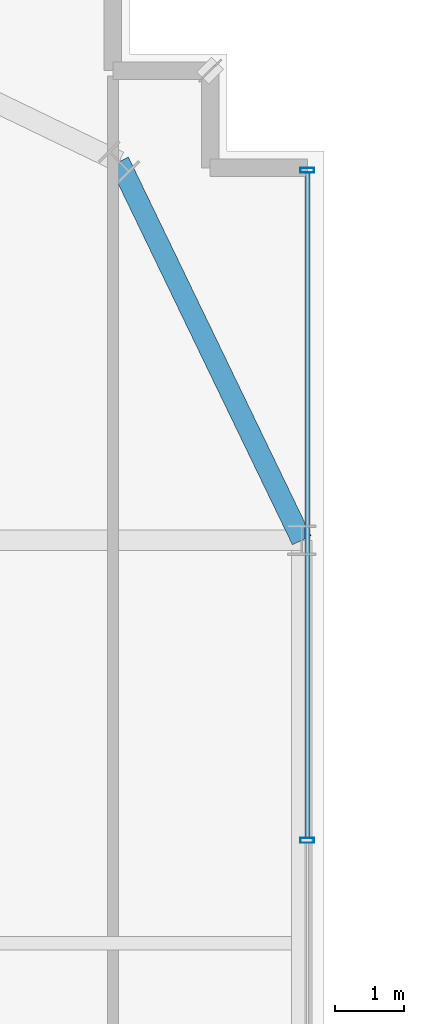
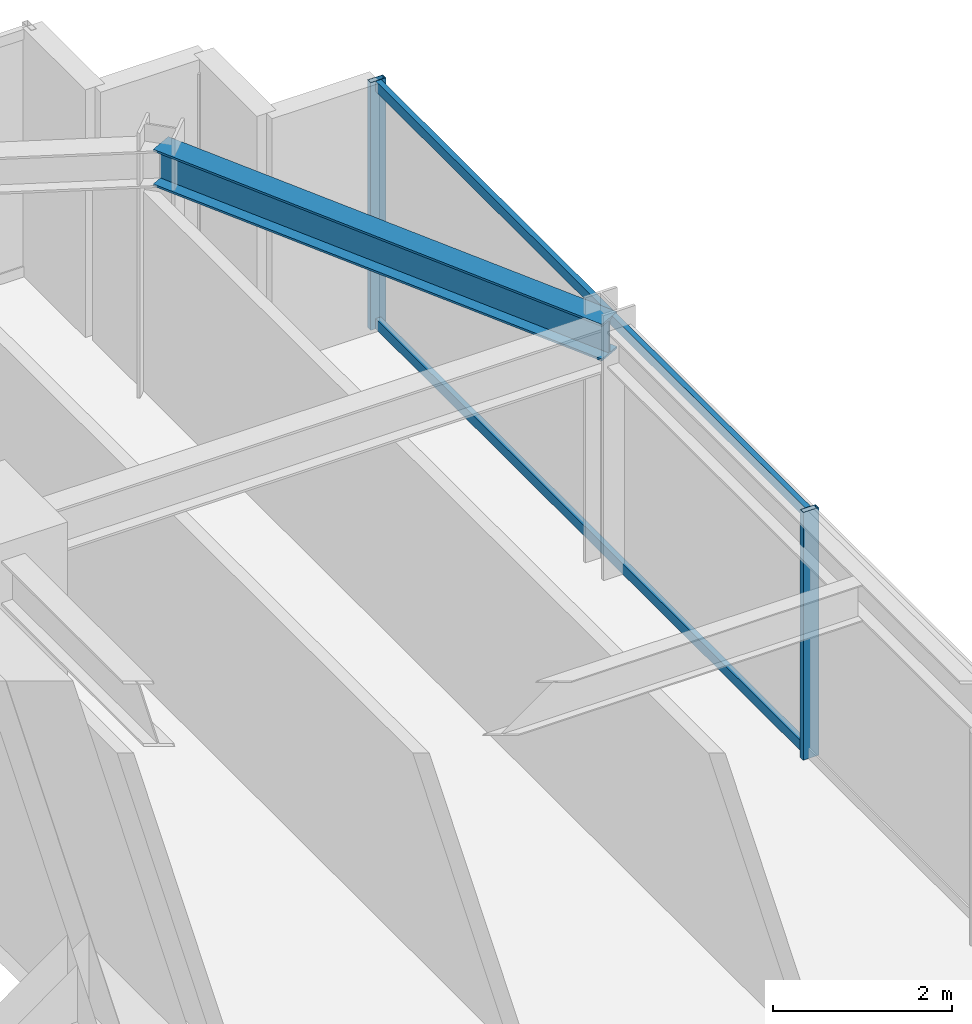
# One storey, part 31 of 47: 4 members, 1 beam, 1 element without a shape of its own.
"""IFC4 building model written with IfcOpenShell, lengths in metres."""

from ifc_helpers import new_model, si_unit, direction, frame, origin, origin_2d, place, context, subcontext, project, spatial, hollow_rectangle, i_section, extrude, source, transform, mapped, material, material_profile, profile_set, type_object, element, aggregate, save


model = new_model("IFC4")

# Units and contexts
model_context = context("Model", 3, precision=1e-05, world=origin(), true_north=direction((0.0, 1.0)))
body_context = subcontext(model_context, "Body", "Model", "MODEL_VIEW")
ifc_project = project(units=[si_unit("LENGTHUNIT", "METRE"), si_unit("AREAUNIT", "SQUARE_METRE"), si_unit("VOLUMEUNIT", "CUBIC_METRE"), si_unit("PLANEANGLEUNIT", "RADIAN"), si_unit("MASSUNIT", "GRAM", prefix="KILO")], contexts=[model_context])

# Site, building, storey
site_placement = place(None, origin())
site = spatial("IfcSite", under=ifc_project, at=site_placement, CompositionType="ELEMENT")
building_placement = place(site_placement, origin())
building = spatial("IfcBuilding", under=site, at=building_placement, Name="Nahalor Promenade Grand Hotel", CompositionType="ELEMENT")
storey_placement = place(building_placement, frame((0.0, 0.0, 68.89990234375)))
storey = spatial("IfcBuildingStorey", under=building, at=storey_placement, Name="L16", CompositionType="ELEMENT", Elevation=68.89990234375)

# Beam
ifc_material_1 = material(Name="Steel S355JR", Category="steel")
ifc_material_profile_1 = material_profile(ifc_material_1, i_section(OverallWidth=0.3, OverallDepth=0.5, WebThickness=0.0145, FlangeThickness=0.028, at=origin_2d()), Name="HEB 500")
ifc_profile_set_1 = profile_set([ifc_material_profile_1], Name="Steel S355JR")
beam_type = type_object("IfcBeamType", Name="Beam-Spandrel-HEB500", PredefinedType="SPANDREL", material=ifc_profile_set_1)
shared_shape_1 = source(origin(), body_context, "Body", "SweptSolid", [
    extrude(i_section(OverallWidth=0.3, OverallDepth=0.5, WebThickness=0.0145, FlangeThickness=0.028, at=origin_2d()), origin(), (0.0, 0.0, 1.0), 6.051513671875),
])
beam_placement = place(storey_placement, frame((22.449951171875, 22.449951171875, 3.1201171875), z_axis=(0.434630596492, -0.900608818852, 0.0), x_axis=(0.900608818852, 0.434630596492, 0.0)))
element("IfcBeam", 1, at=beam_placement, inside=storey, type_object=beam_type, Name="BM-L16-SPC-NE-2", PredefinedType="SPANDREL", context=body_context, shape_type="MappedRepresentation", body=[
    mapped(shared_shape_1, transform((0.0, 0.0, 0.0), scale=1.0)),
])

# Curtain wall, members
ifc_material_2 = material(Name="Anodised Bronze Aluminium EN AW-6063 T6", Category="aluminium")
curtain_wall_type = type_object("IfcCurtainWallType", Name="CW3 Elliptical-Void Collar Unitised Curtain Wall", PredefinedType="USERDEFINED", material=ifc_material_2)
curtain_wall_placement = place(storey_placement, origin())
curtain_wall = element("IfcCurtainWall", 2, at=curtain_wall_placement, inside=storey, type_object=curtain_wall_type, Name="L16 Curtain Wall CW-L16-E-4", ObjectType="UNITISED_CURTAIN_WALL", PredefinedType="USERDEFINED")
ifc_material_profile_2 = material_profile(ifc_material_2, hollow_rectangle(XDim=0.07, YDim=0.14, WallThickness=0.004, at=origin_2d()), Name="CWT 70x140x4")
ifc_profile_set_2 = profile_set([ifc_material_profile_2], Name="Anodised Bronze Aluminium EN AW-6063 T6")
member_type_1 = type_object("IfcMemberType", Name="CWT3 Void Collar Transom 70x140", PredefinedType="USERDEFINED", material=ifc_profile_set_2)
shared_shape_2 = source(origin(), body_context, "Body", "SweptSolid", [
    extrude(hollow_rectangle(XDim=0.07, YDim=0.14, WallThickness=0.004, at=origin_2d()), origin(), (0.0, 0.0, 1.0), 9.575439453125),
])
member_1_placement = place(storey_placement, frame((25.159912109375, 12.714599609375, 0.070068359375), z_axis=(0.0, 1.0, 0.0), x_axis=(-1.0, 0.0, 0.0)))
member_1 = element("IfcMember", 3, at=member_1_placement, type_object=member_type_1, Name="CW-L16-E-4 Transom 1-0", ObjectType="TRANSOM", PredefinedType="USERDEFINED", context=body_context, shape_type="MappedRepresentation", body=[
    mapped(shared_shape_2, transform((0.0, 0.0, 0.0), scale=1.0)),
])
member_2_placement = place(storey_placement, frame((25.159912109375, 12.714599609375, 3.300048828125), z_axis=(0.0, 1.0, 0.0), x_axis=(-1.0, 0.0, 0.0)))
member_2 = element("IfcMember", 4, at=member_2_placement, type_object=member_type_1, Name="CW-L16-E-4 Transom 1-1", ObjectType="TRANSOM", PredefinedType="USERDEFINED", context=body_context, shape_type="MappedRepresentation", body=[
    mapped(shared_shape_2, transform((0.0, 0.0, 0.0), scale=1.0)),
])
ifc_material_profile_3 = material_profile(ifc_material_2, hollow_rectangle(XDim=0.07, YDim=0.2, WallThickness=0.005, at=origin_2d()), Name="CWM 70x200x5")
ifc_profile_set_3 = profile_set([ifc_material_profile_3], Name="Anodised Bronze Aluminium EN AW-6063 T6")
member_type_2 = type_object("IfcMemberType", Name="CWM3 Void Collar Mullion 70x200", PredefinedType="MULLION", material=ifc_profile_set_3)
shared_shape_3 = source(origin(), body_context, "Body", "SweptSolid", [
    extrude(hollow_rectangle(XDim=0.07, YDim=0.2, WallThickness=0.005, at=origin_2d()), origin(), (0.0, 0.0, 1.0), 3.3701171875),
])
member_3_placement = place(storey_placement, frame((25.159912109375, 12.679443359375, 0.0), z_axis=(0.0, 0.0, 1.0), x_axis=(0.0, 1.0, 0.0)))
member_3 = element("IfcMember", 5, at=member_3_placement, type_object=member_type_2, Name="CW-L16-E-4 Mullion 1", PredefinedType="MULLION", context=body_context, shape_type="MappedRepresentation", body=[
    mapped(shared_shape_3, transform((0.0, 0.0, 0.0), scale=1.0)),
])
member_4_placement = place(storey_placement, frame((25.159912109375, 22.324951171875, 0.0), z_axis=(0.0, 0.0, 1.0), x_axis=(0.0, 1.0, 0.0)))
member_4 = element("IfcMember", 6, at=member_4_placement, type_object=member_type_2, Name="CW-L16-E-4 Mullion 2", PredefinedType="MULLION", context=body_context, shape_type="MappedRepresentation", body=[
    mapped(shared_shape_3, transform((0.0, 0.0, 0.0), scale=1.0)),
])
aggregate(curtain_wall, [member_3, member_4, member_1, member_2])

save(model, "model.ifc")
